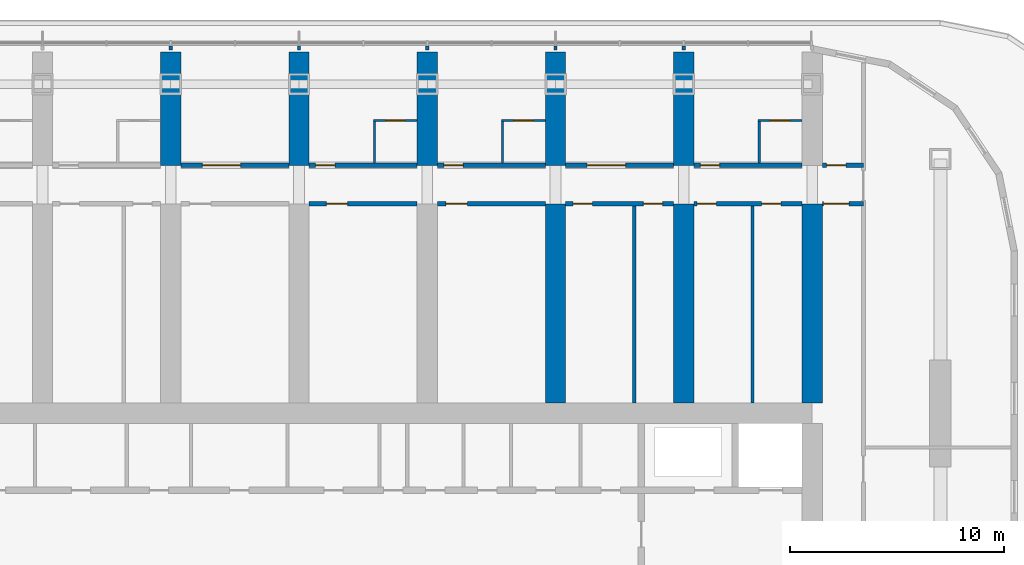
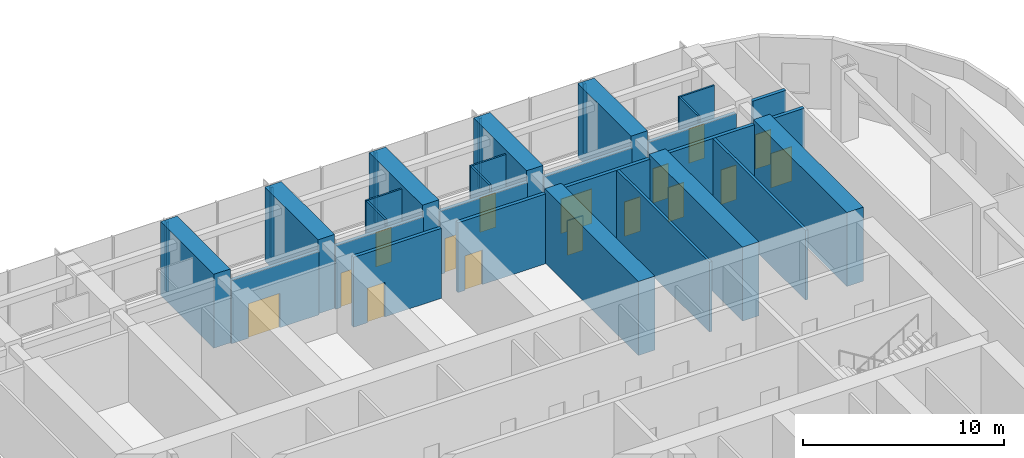
# One storey, part 14 of 31: 32 walls, 16 doors, 16 openings.
"""IFC4 building model written with IfcOpenShell, lengths in metres."""

from ifc_helpers import new_model, si_unit, direction, frame, frame_2d, origin, place, context, subcontext, project, spatial, polyline, rectangle, outline, extrude, material, layer, layer_set, type_object, element, fill, save


model = new_model("IFC4")

# Units and contexts
model_context = context("Model", 3, precision=1e-05, world=origin(), true_north=direction((0.0, 1.0)))
body_context = subcontext(model_context, "Body", "Model", "MODEL_VIEW")
ifc_project = project(units=[si_unit("LENGTHUNIT", "METRE"), si_unit("AREAUNIT", "SQUARE_METRE"), si_unit("VOLUMEUNIT", "CUBIC_METRE"), si_unit("PLANEANGLEUNIT", "RADIAN"), si_unit("MASSUNIT", "GRAM", prefix="KILO")], contexts=[model_context])

# Site, building, storey
site_placement = place(None, origin())
site = spatial("IfcSite", under=ifc_project, at=site_placement, CompositionType="ELEMENT")
building_placement = place(site_placement, origin())
building = spatial("IfcBuilding", under=site, at=building_placement, Name="Orbita Commons", CompositionType="ELEMENT")
storey_placement = place(building_placement, frame((0.0, 0.0, 76.14990234375)))
storey = spatial("IfcBuildingStorey", under=building, at=storey_placement, Name="L18", CompositionType="ELEMENT", Elevation=76.14990234375)

# Wall, opening, door
ifc_material_1 = material(Name="Concrete blockwork", Category="masonry")
ifc_layer_1 = layer(ifc_material_1, 0.199951171875)
ifc_layer_set_1 = layer_set([ifc_layer_1], Name="Concrete blockwork")
wall_type_1 = type_object("IfcWallType", Name="Corridor wall 200 blockwork", PredefinedType="SOLIDWALL", material=ifc_layer_set_1)
wall_1_placement = place(storey_placement, frame((36.47509765625, 49.800048828125, 0.0), z_axis=(0.0, 0.0, 1.0), x_axis=(1.0, 0.0, 0.0)))
wall_1 = element("IfcWall", 1, at=wall_1_placement, inside=storey, type_object=wall_type_1, Name="Corridor wall 200 blockwork L18", PredefinedType="SOLIDWALL", context=body_context, shape_type="SweptSolid", body=[
    extrude(outline(polyline([(0.0, 0.0), (5.0498046875, 0.0), (5.050048828125, 3.85009765625), (0.0, 3.85009765625), (0.0, 0.0)])), frame((0.0, 0.10009765625, 0.0), z_axis=(0.0, -1.0, 0.0), x_axis=(1.0, 0.0, 0.0)), (0.0, 0.0, 1.0), 0.199951171875),
])
opening_1_placement = place(wall_1_placement, frame((1.0, 0.0, 0.0)))
opening_1 = element("IfcOpeningElement", 2, at=opening_1_placement, cuts=wall_1, Name="Opening D07", PredefinedType="OPENING", context=body_context, shape_type="SweptSolid", body=[
    extrude(rectangle(XDim=1.800048828125, YDim=2.10009765625, at=frame_2d((0.89990234375, 1.050048828125))), frame((0.0, 0.10986328125, 0.0), z_axis=(0.0, -1.0, 0.0), x_axis=(1.0, 0.0, 0.0)), (0.0, 0.0, 1.0), 0.219970703125),
])
ifc_material_2 = material(Name="Steel-faced fire door leaf", Category="steel")
door_type_1 = type_object("IfcDoorType", Name="Double corridor door 20 min 1800x2100", OperationType="DOUBLE_DOOR_SINGLE_SWING", PredefinedType="DOOR", material=ifc_material_2)
door_1_placement = place(opening_1_placement, origin())
door_1 = element("IfcDoor", 3, at=door_1_placement, inside=storey, type_object=door_type_1, Name="Guest reception office L18-NF4 doors", OperationType="DOUBLE_DOOR_SINGLE_SWING", OverallHeight=2.10009765625, OverallWidth=1.800048828125, PredefinedType="DOOR", context=body_context, shape_type="SweptSolid", body=[
    extrude(rectangle(XDim=1.800048828125, YDim=2.10009765625, at=frame_2d((0.89990234375, 1.050048828125))), frame((0.0, 0.02490234375, 0.0), z_axis=(0.0, -1.0, 0.0), x_axis=(1.0, 0.0, 0.0)), (0.0, 0.0, 1.0), 0.050048828125),
])
fill(opening_1, door_1)

wall_2_placement = place(storey_placement, frame((42.47509765625, 49.800048828125, 0.0), z_axis=(0.0, 0.0, 1.0), x_axis=(1.0, 0.0, 0.0)))
wall_2 = element("IfcWall", 4, at=wall_2_placement, inside=storey, type_object=wall_type_1, Name="Corridor wall 200 blockwork L18", PredefinedType="SOLIDWALL", context=body_context, shape_type="SweptSolid", body=[
    extrude(outline(polyline([(0.0, 0.0), (5.0498046875, 0.0), (5.050048828125, 3.85009765625), (0.0, 3.85009765625), (0.0, 0.0)])), frame((0.0, 0.10009765625, 0.0), z_axis=(0.0, -1.0, 0.0), x_axis=(1.0, 0.0, 0.0)), (0.0, 0.0, 1.0), 0.199951171875),
])
opening_2_placement = place(wall_2_placement, frame((0.300048828125, 0.0, 0.0)))
opening_2 = element("IfcOpeningElement", 5, at=opening_2_placement, cuts=wall_2, Name="Opening D11", PredefinedType="OPENING", context=body_context, shape_type="SweptSolid", body=[
    extrude(rectangle(XDim=0.89990234375, YDim=2.10009765625, at=frame_2d((0.449951171875, 1.050048828125))), frame((0.0, 0.10986328125, 0.0), z_axis=(0.0, -1.0, 0.0), x_axis=(1.0, 0.0, 0.0)), (0.0, 0.0, 1.0), 0.219970703125),
])
ifc_material_3 = material(Name="Steel-faced fire door leaf", Category="steel")
door_type_2 = type_object("IfcDoorType", Name="Corridor door 20 min 900x2100", OperationType="SINGLE_SWING_LEFT", PredefinedType="DOOR", material=ifc_material_3)
door_2_placement = place(opening_2_placement, origin())
door_2 = element("IfcDoor", 6, at=door_2_placement, inside=storey, type_object=door_type_2, Name="Guest studio with kitchenette L18-NF5 door", OperationType="SINGLE_SWING_LEFT", OverallHeight=2.10009765625, OverallWidth=0.89990234375, PredefinedType="DOOR", context=body_context, shape_type="SweptSolid", body=[
    extrude(rectangle(XDim=0.89990234375, YDim=2.10009765625, at=frame_2d((0.449951171875, 1.050048828125))), frame((0.0, 0.02490234375, 0.0), z_axis=(0.0, -1.0, 0.0), x_axis=(1.0, 0.0, 0.0)), (0.0, 0.0, 1.0), 0.050048828125),
])
fill(opening_2, door_2)

wall_3_placement = place(storey_placement, frame((48.47509765625, 49.800048828125, 0.0), z_axis=(0.0, 0.0, 1.0), x_axis=(1.0, 0.0, 0.0)))
wall_3 = element("IfcWall", 7, at=wall_3_placement, inside=storey, type_object=wall_type_1, Name="Corridor wall 200 blockwork L18", PredefinedType="SOLIDWALL", context=body_context, shape_type="SweptSolid", body=[
    extrude(outline(polyline([(0.0, 0.0), (5.0498046875, 0.0), (5.050048828125, 3.85009765625), (0.0, 3.85009765625), (0.0, 0.0)])), frame((0.0, 0.10009765625, 0.0), z_axis=(0.0, -1.0, 0.0), x_axis=(1.0, 0.0, 0.0)), (0.0, 0.0, 1.0), 0.199951171875),
])
opening_3_placement = place(wall_3_placement, frame((0.300048828125, 0.0, 0.0)))
opening_3 = element("IfcOpeningElement", 8, at=opening_3_placement, cuts=wall_3, Name="Opening D11", PredefinedType="OPENING", context=body_context, shape_type="SweptSolid", body=[
    extrude(rectangle(XDim=0.89990234375, YDim=2.10009765625, at=frame_2d((0.449951171875, 1.050048828125))), frame((0.0, 0.10986328125, 0.0), z_axis=(0.0, -1.0, 0.0), x_axis=(1.0, 0.0, 0.0)), (0.0, 0.0, 1.0), 0.219970703125),
])
door_3_placement = place(opening_3_placement, origin())
door_3 = element("IfcDoor", 9, at=door_3_placement, inside=storey, type_object=door_type_2, Name="Guest studio with kitchenette L18-NF6 door", OperationType="SINGLE_SWING_LEFT", OverallHeight=2.10009765625, OverallWidth=0.89990234375, PredefinedType="DOOR", context=body_context, shape_type="SweptSolid", body=[
    extrude(rectangle(XDim=0.89990234375, YDim=2.10009765625, at=frame_2d((0.449951171875, 1.050048828125))), frame((0.0, 0.02490234375, 0.0), z_axis=(0.0, -1.0, 0.0), x_axis=(1.0, 0.0, 0.0)), (0.0, 0.0, 1.0), 0.050048828125),
])
fill(opening_3, door_3)

wall_4_placement = place(storey_placement, frame((54.47509765625, 49.800048828125, 0.0), z_axis=(0.0, 0.0, 1.0), x_axis=(1.0, 0.0, 0.0)))
wall_4 = element("IfcWall", 10, at=wall_4_placement, inside=storey, type_object=wall_type_1, Name="Corridor wall 200 blockwork L18", PredefinedType="SOLIDWALL", context=body_context, shape_type="SweptSolid", body=[
    extrude(outline(polyline([(0.0, 0.0), (5.0498046875, 0.0), (5.050048828125, 3.85009765625), (0.0, 3.85009765625), (0.0, 0.0)])), frame((0.0, 0.10009765625, 0.0), z_axis=(0.0, -1.0, 0.0), x_axis=(1.0, 0.0, 0.0)), (0.0, 0.0, 1.0), 0.199951171875),
])
opening_4_placement = place(wall_4_placement, frame((1.0, 0.0, 0.0)))
opening_4 = element("IfcOpeningElement", 11, at=opening_4_placement, cuts=wall_4, Name="Opening D07", PredefinedType="OPENING", context=body_context, shape_type="SweptSolid", body=[
    extrude(rectangle(XDim=1.800048828125, YDim=2.10009765625, at=frame_2d((0.89990234375, 1.050048828125))), frame((0.0, 0.10986328125, 0.0), z_axis=(0.0, -1.0, 0.0), x_axis=(1.0, 0.0, 0.0)), (0.0, 0.0, 1.0), 0.219970703125),
])
door_4_placement = place(opening_4_placement, origin())
door_4 = element("IfcDoor", 12, at=door_4_placement, inside=storey, type_object=door_type_1, Name="Seminar room L18-NF7 doors", OperationType="DOUBLE_DOOR_SINGLE_SWING", OverallHeight=2.10009765625, OverallWidth=1.800048828125, PredefinedType="DOOR", context=body_context, shape_type="SweptSolid", body=[
    extrude(rectangle(XDim=1.800048828125, YDim=2.10009765625, at=frame_2d((0.89990234375, 1.050048828125))), frame((0.0, 0.02490234375, 0.0), z_axis=(0.0, -1.0, 0.0), x_axis=(1.0, 0.0, 0.0)), (0.0, 0.0, 1.0), 0.050048828125),
])
fill(opening_4, door_4)

wall_5_placement = place(storey_placement, frame((60.47509765625, 49.800048828125, 0.0), z_axis=(0.0, 0.0, 1.0), x_axis=(1.0, 0.0, 0.0)))
wall_5 = element("IfcWall", 13, at=wall_5_placement, inside=storey, type_object=wall_type_1, Name="Corridor wall 200 blockwork L18", PredefinedType="SOLIDWALL", context=body_context, shape_type="SweptSolid", body=[
    extrude(outline(polyline([(0.0, 0.0), (5.0498046875, 0.0), (5.050048828125, 3.85009765625), (0.0, 3.85009765625), (0.0, 0.0)])), frame((0.0, 0.10009765625, 0.0), z_axis=(0.0, -1.0, 0.0), x_axis=(1.0, 0.0, 0.0)), (0.0, 0.0, 1.0), 0.199951171875),
])
opening_5_placement = place(wall_5_placement, frame((0.300048828125, 0.0, 0.0)))
opening_5 = element("IfcOpeningElement", 14, at=opening_5_placement, cuts=wall_5, Name="Opening D11", PredefinedType="OPENING", context=body_context, shape_type="SweptSolid", body=[
    extrude(rectangle(XDim=0.89990234375, YDim=2.10009765625, at=frame_2d((0.449951171875, 1.050048828125))), frame((0.0, 0.10986328125, 0.0), z_axis=(0.0, -1.0, 0.0), x_axis=(1.0, 0.0, 0.0)), (0.0, 0.0, 1.0), 0.219970703125),
])
door_5_placement = place(opening_5_placement, origin())
door_5 = element("IfcDoor", 15, at=door_5_placement, inside=storey, type_object=door_type_2, Name="Guest studio with kitchenette L18-NF8 door", OperationType="SINGLE_SWING_LEFT", OverallHeight=2.10009765625, OverallWidth=0.89990234375, PredefinedType="DOOR", context=body_context, shape_type="SweptSolid", body=[
    extrude(rectangle(XDim=0.89990234375, YDim=2.10009765625, at=frame_2d((0.449951171875, 1.050048828125))), frame((0.0, 0.02490234375, 0.0), z_axis=(0.0, -1.0, 0.0), x_axis=(1.0, 0.0, 0.0)), (0.0, 0.0, 1.0), 0.050048828125),
])
fill(opening_5, door_5)

wall_6_placement = place(storey_placement, frame((66.47509765625, 49.800048828125, 0.0), z_axis=(0.0, 0.0, 1.0), x_axis=(1.0, 0.0, 0.0)))
wall_6 = element("IfcWall", 16, at=wall_6_placement, inside=storey, type_object=wall_type_1, Name="Corridor wall 200 blockwork L18", PredefinedType="SOLIDWALL", context=body_context, shape_type="SweptSolid", body=[
    extrude(rectangle(XDim=1.9248046875, YDim=0.199951171875, at=frame_2d((0.96240234375, 0.0))), origin(), (0.0, 0.0, 1.0), 4.25),
])
opening_6_placement = place(wall_6_placement, frame((0.199951171875, 0.0, 0.0)))
opening_6 = element("IfcOpeningElement", 17, at=opening_6_placement, cuts=wall_6, Name="Opening D05", PredefinedType="OPENING", context=body_context, shape_type="SweptSolid", body=[
    extrude(rectangle(XDim=0.89990234375, YDim=2.10009765625, at=frame_2d((0.449951171875, 1.050048828125))), frame((0.0, 0.10986328125, 0.0), z_axis=(0.0, -1.0, 0.0), x_axis=(1.0, 0.0, 0.0)), (0.0, 0.0, 1.0), 0.219970703125),
])
ifc_material_4 = material(Name="Steel-faced fire door leaf", Category="steel")
door_type_3 = type_object("IfcDoorType", Name="Service door 20 min 900x2100", OperationType="SINGLE_SWING_LEFT", PredefinedType="DOOR", material=ifc_material_4)
door_6_placement = place(opening_6_placement, origin())
door_6 = element("IfcDoor", 18, at=door_6_placement, inside=storey, type_object=door_type_3, Name="Linen store L18-KEN door", OperationType="SINGLE_SWING_LEFT", OverallHeight=2.10009765625, OverallWidth=0.89990234375, PredefinedType="DOOR", context=body_context, shape_type="SweptSolid", body=[
    extrude(rectangle(XDim=0.89990234375, YDim=2.10009765625, at=frame_2d((0.449951171875, 1.050048828125))), frame((0.0, 0.02490234375, 0.0), z_axis=(0.0, -1.0, 0.0), x_axis=(1.0, 0.0, 0.0)), (0.0, 0.0, 1.0), 0.050048828125),
])
fill(opening_6, door_6)

ifc_material_5 = material(Name="Hollow concrete block 200", Category="concrete")
ifc_layer_2 = layer(ifc_material_5, 0.199951171875)
ifc_layer_set_2 = layer_set([ifc_layer_2], Name="Hollow concrete block 200")
wall_type_2 = type_object("IfcWallType", Name="Corridor wall 200 hollow concrete block", PredefinedType="SOLIDWALL", material=ifc_layer_set_2)
wall_7_placement = place(storey_placement, frame((42.47509765625, 48.0, 0.0), z_axis=(0.0, 0.0, 1.0), x_axis=(1.0, 0.0, 0.0)))
wall_7 = element("IfcWall", 19, at=wall_7_placement, inside=storey, type_object=wall_type_2, Name="Corridor wall 200 hollow concrete block L18", PredefinedType="SOLIDWALL", context=body_context, shape_type="SweptSolid", body=[
    extrude(rectangle(XDim=5.0498046875, YDim=0.199951171875, at=frame_2d((2.52490234375, 0.0))), origin(), (0.0, 0.0, 1.0), 4.25),
])
opening_7_placement = place(wall_7_placement, frame((0.800048828125, 0.0, 0.0)))
opening_7 = element("IfcOpeningElement", 20, at=opening_7_placement, cuts=wall_7, Name="Opening D06", PredefinedType="OPENING", context=body_context, shape_type="SweptSolid", body=[
    extrude(rectangle(XDim=1.0, YDim=2.10009765625, at=frame_2d((0.5, 1.050048828125))), frame((0.0, 0.10986328125, 0.0), z_axis=(0.0, -1.0, 0.0), x_axis=(1.0, 0.0, 0.0)), (0.0, 0.0, 1.0), 0.219970703125),
])
ifc_material_6 = material(Name="Steel-faced fire door leaf", Category="steel")
door_type_4 = type_object("IfcDoorType", Name="Corridor door 20 min 1000x2100", OperationType="SINGLE_SWING_LEFT", PredefinedType="DOOR", material=ifc_material_6)
door_7_placement = place(opening_7_placement, origin())
door_7 = element("IfcDoor", 21, at=door_7_placement, inside=storey, type_object=door_type_4, Name="Sky lobby store L18-BDN42 door", OperationType="SINGLE_SWING_LEFT", OverallHeight=2.10009765625, OverallWidth=1.0, PredefinedType="DOOR", context=body_context, shape_type="SweptSolid", body=[
    extrude(rectangle(XDim=1.0, YDim=2.10009765625, at=frame_2d((0.5, 1.050048828125))), frame((0.0, 0.02490234375, 0.0), z_axis=(0.0, -1.0, 0.0), x_axis=(1.0, 0.0, 0.0)), (0.0, 0.0, 1.0), 0.050048828125),
])
fill(opening_7, door_7)

wall_8_placement = place(storey_placement, frame((48.47509765625, 48.0, 0.0), z_axis=(0.0, 0.0, 1.0), x_axis=(1.0, 0.0, 0.0)))
wall_8 = element("IfcWall", 22, at=wall_8_placement, inside=storey, type_object=wall_type_2, Name="Corridor wall 200 hollow concrete block L18", PredefinedType="SOLIDWALL", context=body_context, shape_type="SweptSolid", body=[
    extrude(rectangle(XDim=5.0498046875, YDim=0.199951171875, at=frame_2d((2.52490234375, 0.0))), origin(), (0.0, 0.0, 1.0), 4.25),
])
opening_8_placement = place(wall_8_placement, frame((0.39990234375, 0.0, 0.0)))
opening_8 = element("IfcOpeningElement", 23, at=opening_8_placement, cuts=wall_8, Name="Opening D06", PredefinedType="OPENING", context=body_context, shape_type="SweptSolid", body=[
    extrude(rectangle(XDim=1.0, YDim=2.10009765625, at=frame_2d((0.5, 1.050048828125))), frame((0.0, 0.10986328125, 0.0), z_axis=(0.0, -1.0, 0.0), x_axis=(1.0, 0.0, 0.0)), (0.0, 0.0, 1.0), 0.219970703125),
])
door_8_placement = place(opening_8_placement, origin())
door_8 = element("IfcDoor", 24, at=door_8_placement, inside=storey, type_object=door_type_4, Name="Store L18-BDN48 door", OperationType="SINGLE_SWING_LEFT", OverallHeight=2.10009765625, OverallWidth=1.0, PredefinedType="DOOR", context=body_context, shape_type="SweptSolid", body=[
    extrude(rectangle(XDim=1.0, YDim=2.10009765625, at=frame_2d((0.5, 1.050048828125))), frame((0.0, 0.02490234375, 0.0), z_axis=(0.0, -1.0, 0.0), x_axis=(1.0, 0.0, 0.0)), (0.0, 0.0, 1.0), 0.050048828125),
])
fill(opening_8, door_8)

# Wall, openings, doors
wall_9_placement = place(storey_placement, frame((54.47509765625, 48.0, 0.0), z_axis=(0.0, 0.0, 1.0), x_axis=(1.0, 0.0, 0.0)))
wall_9 = element("IfcWall", 25, at=wall_9_placement, inside=storey, type_object=wall_type_2, Name="Corridor wall 200 hollow concrete block L18", PredefinedType="SOLIDWALL", context=body_context, shape_type="SweptSolid", body=[
    extrude(rectangle(XDim=5.0498046875, YDim=0.199951171875, at=frame_2d((2.52490234375, 0.0))), origin(), (0.0, 0.0, 1.0), 4.25),
])
opening_9_placement = place(wall_9_placement, frame((0.35009765625, 0.0, 0.0)))
opening_9 = element("IfcOpeningElement", 26, at=opening_9_placement, cuts=wall_9, Name="Opening D11", PredefinedType="OPENING", context=body_context, shape_type="SweptSolid", body=[
    extrude(rectangle(XDim=0.89990234375, YDim=2.10009765625, at=frame_2d((0.449951171875, 1.050048828125))), frame((0.0, 0.10986328125, 0.0), z_axis=(0.0, -1.0, 0.0), x_axis=(1.0, 0.0, 0.0)), (0.0, 0.0, 1.0), 0.219970703125),
])
opening_10_placement = place(wall_9_placement, frame((3.635009765625, 0.0, 0.0)))
opening_10 = element("IfcOpeningElement", 27, at=opening_10_placement, cuts=wall_9, Name="Opening D11", PredefinedType="OPENING", context=body_context, shape_type="SweptSolid", body=[
    extrude(rectangle(XDim=0.89990234375, YDim=2.10009765625, at=frame_2d((0.449951171875, 1.050048828125))), frame((0.0, 0.10986328125, 0.0), z_axis=(0.0, -1.0, 0.0), x_axis=(1.0, 0.0, 0.0)), (0.0, 0.0, 1.0), 0.219970703125),
])
door_9_placement = place(opening_9_placement, origin())
door_9 = element("IfcDoor", 28, at=door_9_placement, inside=storey, type_object=door_type_2, Name="Cleaners store L18-BDN54 door", OperationType="SINGLE_SWING_LEFT", OverallHeight=2.10009765625, OverallWidth=0.89990234375, PredefinedType="DOOR", context=body_context, shape_type="SweptSolid", body=[
    extrude(rectangle(XDim=0.89990234375, YDim=2.10009765625, at=frame_2d((0.449951171875, 1.050048828125))), frame((0.0, 0.02490234375, 0.0), z_axis=(0.0, -1.0, 0.0), x_axis=(1.0, 0.0, 0.0)), (0.0, 0.0, 1.0), 0.050048828125),
])
fill(opening_9, door_9)
door_10_placement = place(opening_10_placement, origin())
door_10 = element("IfcDoor", 29, at=door_10_placement, inside=storey, type_object=door_type_2, Name="Battery and UPS room L18-BDN54n door", OperationType="SINGLE_SWING_LEFT", OverallHeight=2.10009765625, OverallWidth=0.89990234375, PredefinedType="DOOR", context=body_context, shape_type="SweptSolid", body=[
    extrude(rectangle(XDim=0.89990234375, YDim=2.10009765625, at=frame_2d((0.449951171875, 1.050048828125))), frame((0.0, 0.02490234375, 0.0), z_axis=(0.0, -1.0, 0.0), x_axis=(1.0, 0.0, 0.0)), (0.0, 0.0, 1.0), 0.050048828125),
])
fill(opening_10, door_10)

wall_10_placement = place(storey_placement, frame((60.47509765625, 48.0, 0.0), z_axis=(0.0, 0.0, 1.0), x_axis=(1.0, 0.0, 0.0)))
wall_10 = element("IfcWall", 30, at=wall_10_placement, inside=storey, type_object=wall_type_2, Name="Corridor wall 200 hollow concrete block L18", PredefinedType="SOLIDWALL", context=body_context, shape_type="SweptSolid", body=[
    extrude(rectangle(XDim=5.0498046875, YDim=0.199951171875, at=frame_2d((2.52490234375, 0.0))), origin(), (0.0, 0.0, 1.0), 4.25),
])
opening_11_placement = place(wall_10_placement, frame((0.14990234375, 0.0, 0.0)))
opening_11 = element("IfcOpeningElement", 31, at=opening_11_placement, cuts=wall_10, Name="Opening D11", PredefinedType="OPENING", context=body_context, shape_type="SweptSolid", body=[
    extrude(rectangle(XDim=0.89990234375, YDim=2.10009765625, at=frame_2d((0.449951171875, 1.050048828125))), frame((0.0, 0.10986328125, 0.0), z_axis=(0.0, -1.0, 0.0), x_axis=(1.0, 0.0, 0.0)), (0.0, 0.0, 1.0), 0.219970703125),
])
opening_12_placement = place(wall_10_placement, frame((3.1650390625, 0.0, 0.0)))
opening_12 = element("IfcOpeningElement", 32, at=opening_12_placement, cuts=wall_10, Name="Opening D11", PredefinedType="OPENING", context=body_context, shape_type="SweptSolid", body=[
    extrude(rectangle(XDim=0.89990234375, YDim=2.10009765625, at=frame_2d((0.449951171875, 1.050048828125))), frame((0.0, 0.10986328125, 0.0), z_axis=(0.0, -1.0, 0.0), x_axis=(1.0, 0.0, 0.0)), (0.0, 0.0, 1.0), 0.219970703125),
])
door_11_placement = place(opening_11_placement, origin())
door_11 = element("IfcDoor", 33, at=door_11_placement, inside=storey, type_object=door_type_2, Name="Electrical and data room L18-BDN60 door", OperationType="SINGLE_SWING_LEFT", OverallHeight=2.10009765625, OverallWidth=0.89990234375, PredefinedType="DOOR", context=body_context, shape_type="SweptSolid", body=[
    extrude(rectangle(XDim=0.89990234375, YDim=2.10009765625, at=frame_2d((0.449951171875, 1.050048828125))), frame((0.0, 0.02490234375, 0.0), z_axis=(0.0, -1.0, 0.0), x_axis=(1.0, 0.0, 0.0)), (0.0, 0.0, 1.0), 0.050048828125),
])
fill(opening_11, door_11)
door_12_placement = place(opening_12_placement, origin())
door_12 = element("IfcDoor", 34, at=door_12_placement, inside=storey, type_object=door_type_2, Name="Sprinkler valve room L18-BDN60n door", OperationType="SINGLE_SWING_LEFT", OverallHeight=2.10009765625, OverallWidth=0.89990234375, PredefinedType="DOOR", context=body_context, shape_type="SweptSolid", body=[
    extrude(rectangle(XDim=0.89990234375, YDim=2.10009765625, at=frame_2d((0.449951171875, 1.050048828125))), frame((0.0, 0.02490234375, 0.0), z_axis=(0.0, -1.0, 0.0), x_axis=(1.0, 0.0, 0.0)), (0.0, 0.0, 1.0), 0.050048828125),
])
fill(opening_12, door_12)

# Wall, opening, door
wall_11_placement = place(storey_placement, frame((66.47509765625, 48.0, 0.0), z_axis=(0.0, 0.0, 1.0), x_axis=(1.0, 0.0, 0.0)))
wall_11 = element("IfcWall", 35, at=wall_11_placement, inside=storey, type_object=wall_type_2, Name="Corridor wall 200 hollow concrete block L18", PredefinedType="SOLIDWALL", context=body_context, shape_type="SweptSolid", body=[
    extrude(rectangle(XDim=1.9248046875, YDim=0.199951171875, at=frame_2d((0.96240234375, 0.0))), origin(), (0.0, 0.0, 1.0), 4.25),
])
opening_13_placement = place(wall_11_placement, frame((0.050048828125, 0.0, 0.0)))
opening_13 = element("IfcOpeningElement", 36, at=opening_13_placement, cuts=wall_11, Name="Opening D12", PredefinedType="OPENING", context=body_context, shape_type="SweptSolid", body=[
    extrude(rectangle(XDim=1.199951171875, YDim=2.10009765625, at=frame_2d((0.60009765625, 1.050048828125))), frame((0.0, 0.10986328125, 0.0), z_axis=(0.0, -1.0, 0.0), x_axis=(1.0, 0.0, 0.0)), (0.0, 0.0, 1.0), 0.219970703125),
])
ifc_material_7 = material(Name="Steel-faced fire door leaf", Category="steel")
door_type_5 = type_object("IfcDoorType", Name="Double corridor door 20 min 1200x2100", OperationType="DOUBLE_DOOR_SINGLE_SWING", PredefinedType="DOOR", material=ifc_material_7)
door_13_placement = place(opening_13_placement, origin())
door_13 = element("IfcDoor", 37, at=door_13_placement, inside=storey, type_object=door_type_5, Name="Cross corridor doors", OperationType="DOUBLE_DOOR_SINGLE_SWING", OverallHeight=2.10009765625, OverallWidth=1.199951171875, PredefinedType="DOOR", context=body_context, shape_type="SweptSolid", body=[
    extrude(rectangle(XDim=1.199951171875, YDim=2.10009765625, at=frame_2d((0.60009765625, 1.050048828125))), frame((0.0, 0.02490234375, 0.0), z_axis=(0.0, -1.0, 0.0), x_axis=(1.0, 0.0, 0.0)), (0.0, 0.0, 1.0), 0.050048828125),
])
fill(opening_13, door_13)

# Walls
ifc_material_8 = material(Name="Concrete C50/60", Category="concrete")
ifc_layer_3 = layer(ifc_material_8, 0.949951171875)
ifc_layer_set_3 = layer_set([ifc_layer_3], Name="Concrete C50/60")
wall_type_3 = type_object("IfcWallType", Name="Cross wall 950 C50/60", PredefinedType="SHEAR", material=ifc_layer_set_3)
for number, where, z_axis, x_axis, name in (
    (38, (36.0, 49.800048828125, 0.0), (0.0, 0.0, 1.0), (0.0, 1.0, 0.0), "Cross wall 7 north outer L18"),
    (39, (42.0, 49.800048828125, 0.0), (0.0, 0.0, 1.0), (0.0, 1.0, 0.0), "Cross wall 8 north outer L18"),
    (40, (48.0, 49.800048828125, 0.0), (0.0, 0.0, 1.0), (0.0, 1.0, 0.0), "Cross wall 9 north outer L18"),
    (41, (54.0, 49.800048828125, 0.0), (0.0, 0.0, 1.0), (0.0, 1.0, 0.0), "Cross wall 10 north outer L18"),
):
    element("IfcWall", number, at=place(storey_placement, frame(where, z_axis=z_axis, x_axis=x_axis)), inside=storey, type_object=wall_type_3, Name=name, PredefinedType="SHEAR", context=body_context, shape_type="SweptSolid", body=[
        extrude(rectangle(XDim=5.300048828125, YDim=0.949951171875, at=frame_2d((2.64990234375, 0.0))), origin(), (0.0, 0.0, 1.0), 4.5),
    ])
wall_12_placement = place(storey_placement, frame((54.0, 38.675048828125, 0.0), z_axis=(0.0, 0.0, 1.0), x_axis=(0.0, 1.0, 0.0)))
element("IfcWall", 42, at=wall_12_placement, inside=storey, type_object=wall_type_3, Name="Cross wall 10 north inner L18", PredefinedType="SHEAR", context=body_context, shape_type="SweptSolid", body=[
    extrude(rectangle(XDim=9.324951171875, YDim=0.949951171875, at=frame_2d((4.66259765625, 0.0))), origin(), (0.0, 0.0, 1.0), 4.5),
])
wall_13_placement = place(storey_placement, frame((60.0, 49.800048828125, 0.0), z_axis=(0.0, 0.0, 1.0), x_axis=(0.0, 1.0, 0.0)))
element("IfcWall", 43, at=wall_13_placement, inside=storey, type_object=wall_type_3, Name="Cross wall 11 north outer L18", PredefinedType="SHEAR", context=body_context, shape_type="SweptSolid", body=[
    extrude(rectangle(XDim=5.300048828125, YDim=0.949951171875, at=frame_2d((2.64990234375, 0.0))), origin(), (0.0, 0.0, 1.0), 4.5),
])
for number, where, z_axis, x_axis, name in (
    (44, (60.0, 38.675048828125, 0.0), (0.0, 0.0, 1.0), (0.0, 1.0, 0.0), "Cross wall 11 north inner L18"),
    (45, (66.0, 38.675048828125, 0.0), (0.0, 0.0, 1.0), (0.0, 1.0, 0.0), "Cross wall 12 north inner L18"),
):
    element("IfcWall", number, at=place(storey_placement, frame(where, z_axis=z_axis, x_axis=x_axis)), inside=storey, type_object=wall_type_3, Name=name, PredefinedType="SHEAR", context=body_context, shape_type="SweptSolid", body=[
        extrude(rectangle(XDim=9.324951171875, YDim=0.949951171875, at=frame_2d((4.66259765625, 0.0))), origin(), (0.0, 0.0, 1.0), 4.5),
    ])

# Wall, opening, door
ifc_material_9 = material(Name="Moisture-resistant plasterboard on steel studs", Category="steel")
ifc_layer_4 = layer(ifc_material_9, 0.10009765625)
ifc_layer_set_4 = layer_set([ifc_layer_4], Name="Moisture-resistant plasterboard on steel studs")
wall_type_4 = type_object("IfcWallType", Name="En-suite partition 100", PredefinedType="PARTITIONING", material=ifc_layer_set_4)
wall_14_placement = place(storey_placement, frame((45.47509765625, 51.89990234375, 0.0), z_axis=(0.0, 0.0, 1.0), x_axis=(1.0, 0.0, 0.0)))
wall_14 = element("IfcWall", 46, at=wall_14_placement, inside=storey, type_object=wall_type_4, Name="En-suite partition 100 L18", PredefinedType="PARTITIONING", context=body_context, shape_type="SweptSolid", body=[
    extrude(rectangle(XDim=2.0498046875, YDim=0.10009765625, at=frame_2d((1.02490234375, 0.0))), origin(), (0.0, 0.0, 1.0), 4.25),
])
opening_14_placement = place(wall_14_placement, frame((0.574951171875, 0.0, 0.0)))
opening_14 = element("IfcOpeningElement", 47, at=opening_14_placement, cuts=wall_14, Name="Opening D09", PredefinedType="OPENING", context=body_context, shape_type="SweptSolid", body=[
    extrude(rectangle(XDim=0.89990234375, YDim=2.10009765625, at=frame_2d((0.449951171875, 1.050048828125))), frame((0.0, 0.06005859375, 0.0), z_axis=(0.0, -1.0, 0.0), x_axis=(1.0, 0.0, 0.0)), (0.0, 0.0, 1.0), 0.1201171875),
])
ifc_material_10 = material(Name="Laminated timber door leaf", Category="wood")
door_type_6 = type_object("IfcDoorType", Name="En-suite door 900x2100", OperationType="SINGLE_SWING_RIGHT", PredefinedType="DOOR", material=ifc_material_10)
door_14_placement = place(opening_14_placement, origin())
door_14 = element("IfcDoor", 48, at=door_14_placement, inside=storey, type_object=door_type_6, Name="En-suite L18-NF5 door", OperationType="SINGLE_SWING_RIGHT", OverallHeight=2.10009765625, OverallWidth=0.89990234375, PredefinedType="DOOR", context=body_context, shape_type="SweptSolid", body=[
    extrude(rectangle(XDim=0.89990234375, YDim=2.10009765625, at=frame_2d((0.449951171875, 1.050048828125))), frame((0.0, 0.02490234375, 0.0), z_axis=(0.0, -1.0, 0.0), x_axis=(1.0, 0.0, 0.0)), (0.0, 0.0, 1.0), 0.050048828125),
])
fill(opening_14, door_14)

# Wall
wall_15_placement = place(storey_placement, frame((45.52490234375, 51.85009765625, 0.0), z_axis=(0.0, 0.0, 1.0), x_axis=(0.0, -1.0, 0.0)))
element("IfcWall", 49, at=wall_15_placement, inside=storey, type_object=wall_type_4, Name="En-suite partition 100 L18", PredefinedType="PARTITIONING", context=body_context, shape_type="SweptSolid", body=[
    extrude(outline(polyline([(0.0, 0.0), (1.9501953125, 0.0), (1.949951171875, 3.85009765625), (1.902099609375, 3.85009765625), (1.89990234375, 4.25), (0.0, 4.25), (0.0, 0.0)])), frame((0.0, 0.050048828125, 0.0), z_axis=(0.0, -1.0, 0.0), x_axis=(1.0, 0.0, 0.0)), (0.0, 0.0, 1.0), 0.10009765625),
])

# Wall, opening, door
wall_16_placement = place(storey_placement, frame((51.47509765625, 51.89990234375, 0.0), z_axis=(0.0, 0.0, 1.0), x_axis=(1.0, 0.0, 0.0)))
wall_16 = element("IfcWall", 50, at=wall_16_placement, inside=storey, type_object=wall_type_4, Name="En-suite partition 100 L18", PredefinedType="PARTITIONING", context=body_context, shape_type="SweptSolid", body=[
    extrude(rectangle(XDim=2.0498046875, YDim=0.10009765625, at=frame_2d((1.02490234375, 0.0))), origin(), (0.0, 0.0, 1.0), 4.25),
])
opening_15_placement = place(wall_16_placement, frame((0.574951171875, 0.0, 0.0)))
opening_15 = element("IfcOpeningElement", 51, at=opening_15_placement, cuts=wall_16, Name="Opening D09", PredefinedType="OPENING", context=body_context, shape_type="SweptSolid", body=[
    extrude(rectangle(XDim=0.89990234375, YDim=2.10009765625, at=frame_2d((0.449951171875, 1.050048828125))), frame((0.0, 0.06005859375, 0.0), z_axis=(0.0, -1.0, 0.0), x_axis=(1.0, 0.0, 0.0)), (0.0, 0.0, 1.0), 0.1201171875),
])
door_15_placement = place(opening_15_placement, origin())
door_15 = element("IfcDoor", 52, at=door_15_placement, inside=storey, type_object=door_type_6, Name="En-suite L18-NF6 door", OperationType="SINGLE_SWING_RIGHT", OverallHeight=2.10009765625, OverallWidth=0.89990234375, PredefinedType="DOOR", context=body_context, shape_type="SweptSolid", body=[
    extrude(rectangle(XDim=0.89990234375, YDim=2.10009765625, at=frame_2d((0.449951171875, 1.050048828125))), frame((0.0, 0.02490234375, 0.0), z_axis=(0.0, -1.0, 0.0), x_axis=(1.0, 0.0, 0.0)), (0.0, 0.0, 1.0), 0.050048828125),
])
fill(opening_15, door_15)

# Wall
wall_17_placement = place(storey_placement, frame((51.52490234375, 51.85009765625, 0.0), z_axis=(0.0, 0.0, 1.0), x_axis=(0.0, -1.0, 0.0)))
element("IfcWall", 53, at=wall_17_placement, inside=storey, type_object=wall_type_4, Name="En-suite partition 100 L18", PredefinedType="PARTITIONING", context=body_context, shape_type="SweptSolid", body=[
    extrude(outline(polyline([(0.0, 0.0), (1.9501953125, 0.0), (1.949951171875, 3.85009765625), (1.902099609375, 3.85009765625), (1.89990234375, 4.25), (0.0, 4.25), (0.0, 0.0)])), frame((0.0, 0.050048828125, 0.0), z_axis=(0.0, -1.0, 0.0), x_axis=(1.0, 0.0, 0.0)), (0.0, 0.0, 1.0), 0.10009765625),
])

# Wall, opening, door
wall_18_placement = place(storey_placement, frame((63.47509765625, 51.89990234375, 0.0), z_axis=(0.0, 0.0, 1.0), x_axis=(1.0, 0.0, 0.0)))
wall_18 = element("IfcWall", 54, at=wall_18_placement, inside=storey, type_object=wall_type_4, Name="En-suite partition 100 L18", PredefinedType="PARTITIONING", context=body_context, shape_type="SweptSolid", body=[
    extrude(rectangle(XDim=2.0498046875, YDim=0.10009765625, at=frame_2d((1.02490234375, 0.0))), origin(), (0.0, 0.0, 1.0), 4.25),
])
opening_16_placement = place(wall_18_placement, frame((0.574951171875, 0.0, 0.0)))
opening_16 = element("IfcOpeningElement", 55, at=opening_16_placement, cuts=wall_18, Name="Opening D09", PredefinedType="OPENING", context=body_context, shape_type="SweptSolid", body=[
    extrude(rectangle(XDim=0.89990234375, YDim=2.10009765625, at=frame_2d((0.449951171875, 1.050048828125))), frame((0.0, 0.06005859375, 0.0), z_axis=(0.0, -1.0, 0.0), x_axis=(1.0, 0.0, 0.0)), (0.0, 0.0, 1.0), 0.1201171875),
])
door_16_placement = place(opening_16_placement, origin())
door_16 = element("IfcDoor", 56, at=door_16_placement, inside=storey, type_object=door_type_6, Name="En-suite L18-NF8 door", OperationType="SINGLE_SWING_RIGHT", OverallHeight=2.10009765625, OverallWidth=0.89990234375, PredefinedType="DOOR", context=body_context, shape_type="SweptSolid", body=[
    extrude(rectangle(XDim=0.89990234375, YDim=2.10009765625, at=frame_2d((0.449951171875, 1.050048828125))), frame((0.0, 0.02490234375, 0.0), z_axis=(0.0, -1.0, 0.0), x_axis=(1.0, 0.0, 0.0)), (0.0, 0.0, 1.0), 0.050048828125),
])
fill(opening_16, door_16)

# Walls
wall_19_placement = place(storey_placement, frame((63.52490234375, 51.85009765625, 0.0), z_axis=(0.0, 0.0, 1.0), x_axis=(0.0, -1.0, 0.0)))
element("IfcWall", 57, at=wall_19_placement, inside=storey, type_object=wall_type_4, Name="En-suite partition 100 L18", PredefinedType="PARTITIONING", context=body_context, shape_type="SweptSolid", body=[
    extrude(outline(polyline([(0.0, 0.0), (1.9501953125, 0.0), (1.949951171875, 3.85009765625), (1.902099609375, 3.85009765625), (1.89990234375, 4.25), (0.0, 4.25), (0.0, 0.0)])), frame((0.0, 0.050048828125, 0.0), z_axis=(0.0, -1.0, 0.0), x_axis=(1.0, 0.0, 0.0)), (0.0, 0.0, 1.0), 0.10009765625),
])
ifc_material_11 = material(Name="Gypsum plasterboard on steel studs", Category="steel")
ifc_layer_5 = layer(ifc_material_11, 0.14990234375)
ifc_layer_set_5 = layer_set([ifc_layer_5], Name="Gypsum plasterboard on steel studs")
wall_type_5 = type_object("IfcWallType", Name="Partition 150 plasterboard", PredefinedType="PARTITIONING", material=ifc_layer_set_5)
for number, where, z_axis, x_axis, name in (
    (58, (57.68505859375, 38.675048828125, 0.0), (0.0, 0.0, 1.0), (0.0, 1.0, 0.0), "Partition 150 plasterboard L18"),
    (59, (63.215087890625, 38.675048828125, 0.0), (0.0, 0.0, 1.0), (0.0, 1.0, 0.0), "Partition 150 plasterboard L18"),
):
    element("IfcWall", number, at=place(storey_placement, frame(where, z_axis=z_axis, x_axis=x_axis)), inside=storey, type_object=wall_type_5, Name=name, PredefinedType="PARTITIONING", context=body_context, shape_type="SweptSolid", body=[
        extrude(rectangle(XDim=9.224853515625, YDim=0.14990234375, at=frame_2d((4.6123046875, 0.0))), origin(), (0.0, 0.0, 1.0), 4.25),
    ])
for number, where, z_axis, x_axis, name in (
    (60, (36.0, 55.199951171875, 0.0), (0.0, 0.0, 1.0), (0.0, 1.0, 0.0), "Partition 150 plasterboard L18"),
    (61, (42.0, 55.199951171875, 0.0), (0.0, 0.0, 1.0), (0.0, 1.0, 0.0), "Partition 150 plasterboard L18"),
    (62, (48.0, 55.199951171875, 0.0), (0.0, 0.0, 1.0), (0.0, 1.0, 0.0), "Partition 150 plasterboard L18"),
    (63, (54.0, 55.199951171875, 0.0), (0.0, 0.0, 1.0), (0.0, 1.0, 0.0), "Partition 150 plasterboard L18"),
    (64, (60.0, 55.199951171875, 0.0), (0.0, 0.0, 1.0), (0.0, 1.0, 0.0), "Partition 150 plasterboard L18"),
):
    element("IfcWall", number, at=place(storey_placement, frame(where, z_axis=z_axis, x_axis=x_axis)), inside=storey, type_object=wall_type_5, Name=name, PredefinedType="PARTITIONING", context=body_context, shape_type="SweptSolid", body=[
        extrude(rectangle(XDim=0.18994140625, YDim=0.14990234375, at=frame_2d((0.094970703125, 0.0))), origin(), (0.0, 0.0, 1.0), 4.25),
    ])

save(model, "model.ifc")
